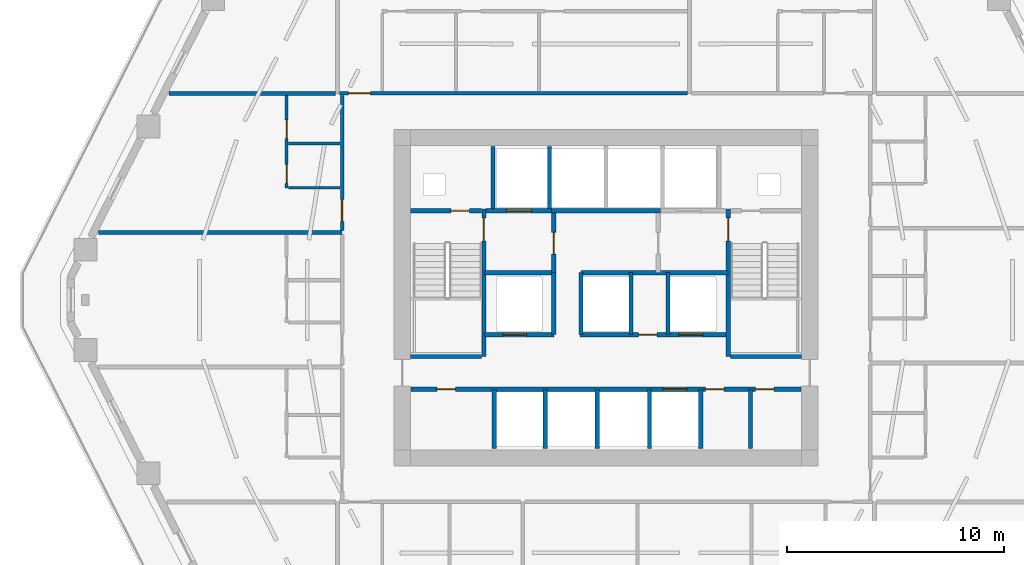
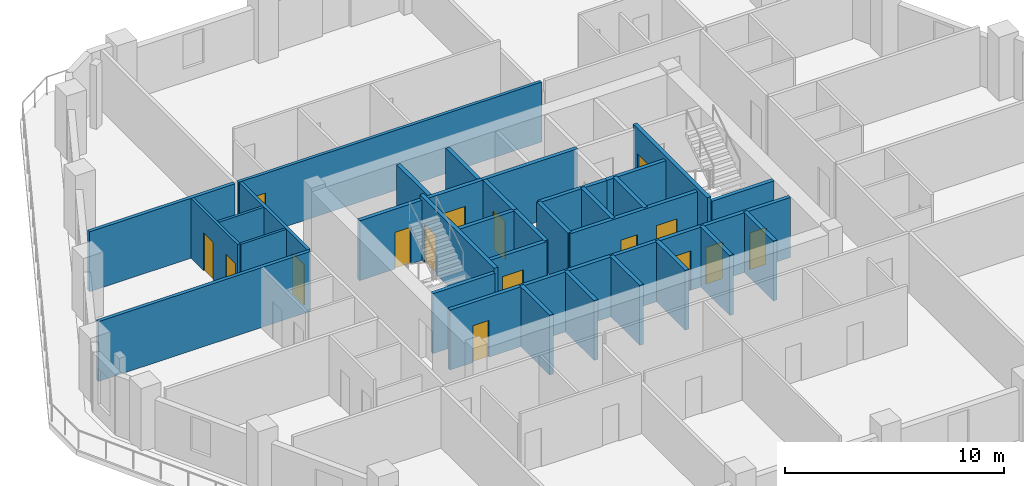
# One storey, part 4 of 10: 33 walls, 16 doors, 16 openings.
"""IFC4 building model written with IfcOpenShell, lengths in metres."""

from ifc_helpers import new_model, si_unit, direction, frame, frame_2d, origin, place, context, subcontext, project, spatial, rectangle, extrude, material, layer, layer_set, type_object, element, fill, save


model = new_model("IFC4")

# Units and contexts
model_context = context("Model", 3, precision=1e-05, world=origin(), true_north=direction((0.0, 1.0)))
body_context = subcontext(model_context, "Body", "Model", "MODEL_VIEW")
ifc_project = project(units=[si_unit("LENGTHUNIT", "METRE"), si_unit("AREAUNIT", "SQUARE_METRE"), si_unit("VOLUMEUNIT", "CUBIC_METRE"), si_unit("PLANEANGLEUNIT", "RADIAN"), si_unit("MASSUNIT", "GRAM", prefix="KILO")], contexts=[model_context])

# Site, building, storey
site_placement = place(None, origin())
site = spatial("IfcSite", under=ifc_project, at=site_placement, CompositionType="ELEMENT")
building_placement = place(site_placement, origin())
building = spatial("IfcBuilding", under=site, at=building_placement, Name="Cinnabar Lancet Tower", CompositionType="ELEMENT")
storey_placement = place(building_placement, frame((0.0, 0.0, 98.39990234375)))
storey = spatial("IfcBuildingStorey", under=building, at=storey_placement, Name="L25", CompositionType="ELEMENT", Elevation=98.39990234375)

# Wall, opening, door
ifc_material_1 = material(Name="Acoustic twin-stud gypsum partition", Category="gypsum")
ifc_layer_1 = layer(ifc_material_1, 0.159912109375)
ifc_layer_set_1 = layer_set([ifc_layer_1], Name="Acoustic twin-stud gypsum partition")
wall_type_1 = type_object("IfcWallType", Name="ARC-WL-CORR-160", PredefinedType="PARTITIONING", material=ifc_layer_set_1)
wall_1_placement = place(storey_placement, frame((20.14501953125, 35.300048828125, 0.0), z_axis=(0.0, 0.0, 1.0), x_axis=(1.0, 0.0, 0.0)))
wall_1 = element("IfcWall", 1, at=wall_1_placement, inside=storey, type_object=wall_type_1, Name="L25 Unit N01 Corridor Wall", PredefinedType="PARTITIONING", context=body_context, shape_type="SweptSolid", body=[
    extrude(rectangle(XDim=15.991943359375, YDim=0.159912109375, at=frame_2d((7.99609375, 0.0))), origin(), (0.0, 0.0, 1.0), 3.340087890625),
])
opening_1_placement = place(wall_1_placement, frame((0.405029296875, 0.0, 0.0)))
opening_1 = element("IfcOpeningElement", 2, at=opening_1_placement, cuts=wall_1, Name="Opening UD-01", PredefinedType="OPENING", context=body_context, shape_type="SweptSolid", body=[
    extrude(rectangle(XDim=1.02001953125, YDim=2.25, at=frame_2d((0.510009765625, 1.125))), frame((0.0, 0.08984375, 0.0), z_axis=(0.0, -1.0, 0.0), x_axis=(1.0, 0.0, 0.0)), (0.0, 0.0, 1.0), 0.179931640625),
])
ifc_material_2 = material(Name="Solid timber fire-rated apartment entrance door", Category="wood")
door_type_1 = type_object("IfcDoorType", Name="ARC-DR-UNIT", OperationType="NOTDEFINED", PredefinedType="DOOR", material=ifc_material_2)
door_1_placement = place(opening_1_placement, origin())
door_1 = element("IfcDoor", 3, at=door_1_placement, inside=storey, type_object=door_type_1, Name="DR-L25-N01-ENT", OperationType="SINGLE_SWING_LEFT", OverallHeight=2.25, OverallWidth=1.02001953125, PredefinedType="DOOR", context=body_context, shape_type="SweptSolid", body=[
    extrude(rectangle(XDim=1.02001953125, YDim=2.25, at=frame_2d((0.510009765625, 1.125))), frame((0.0, 0.02490234375, 0.0), z_axis=(0.0, -1.0, 0.0), x_axis=(1.0, 0.0, 0.0)), (0.0, 0.0, 1.0), 0.050048828125),
])
fill(opening_1, door_1)

wall_2_placement = place(storey_placement, frame((20.25, 29.0029296875, 0.0), z_axis=(0.0, 0.0, 1.0), x_axis=(0.0, 1.0, 0.0)))
wall_2 = element("IfcWall", 4, at=wall_2_placement, inside=storey, type_object=wall_type_1, Name="UW-L25-W03-COR", PredefinedType="PARTITIONING", context=body_context, shape_type="SweptSolid", body=[
    extrude(rectangle(XDim=6.2021484375, YDim=0.159912109375, at=frame_2d((3.10107421875, 0.0))), origin(), (0.0, 0.0, 1.0), 3.340087890625),
])
opening_2_placement = place(wall_2_placement, frame((0.39990234375, 0.0, 0.0)))
opening_2 = element("IfcOpeningElement", 5, at=opening_2_placement, cuts=wall_2, Name="Opening UD-01", PredefinedType="OPENING", context=body_context, shape_type="SweptSolid", body=[
    extrude(rectangle(XDim=1.02001953125, YDim=2.25, at=frame_2d((0.510009765625, 1.125))), frame((0.0, 0.08984375, 0.0), z_axis=(0.0, -1.0, 0.0), x_axis=(1.0, 0.0, 0.0)), (0.0, 0.0, 1.0), 0.179931640625),
])
door_2_placement = place(opening_2_placement, origin())
door_2 = element("IfcDoor", 6, at=door_2_placement, inside=storey, type_object=door_type_1, Name="DR-L25-W03-ENT", OperationType="SINGLE_SWING_RIGHT", OverallHeight=2.25, OverallWidth=1.02001953125, PredefinedType="DOOR", context=body_context, shape_type="SweptSolid", body=[
    extrude(rectangle(XDim=1.02001953125, YDim=2.25, at=frame_2d((0.510009765625, 1.125))), frame((0.0, 0.02490234375, 0.0), z_axis=(0.0, -1.0, 0.0), x_axis=(1.0, 0.0, 0.0)), (0.0, 0.0, 1.0), 0.050048828125),
])
fill(opening_2, door_2)

# Walls
ifc_material_3 = material(Name="Fire-rated twin-frame acoustic drywall", Category="gypsum")
ifc_layer_2 = layer(ifc_material_3, 0.179931640625)
ifc_layer_set_2 = layer_set([ifc_layer_2], Name="Fire-rated twin-frame acoustic drywall")
wall_type_2 = type_object("IfcWallType", Name="ARC-WL-PARTY-180", PredefinedType="PARTITIONING", material=ifc_layer_set_2)
wall_3_placement = place(storey_placement, frame((12.285888671875, 35.300048828125, 0.0), z_axis=(0.0, 0.0, 1.0), x_axis=(1.0, 0.0, 0.0)))
element("IfcWall", 7, at=wall_3_placement, inside=storey, type_object=wall_type_2, Name="PW-L25-WNB", PredefinedType="PARTITIONING", context=body_context, shape_type="SweptSolid", body=[
    extrude(rectangle(XDim=7.669189453125, YDim=0.179931640625, at=frame_2d((3.83447265625, 0.0))), origin(), (0.0, 0.0, 1.0), 3.340087890625),
])
wall_4_placement = place(storey_placement, frame((9.052001953125, 28.907958984375, 0.0), z_axis=(0.0, 0.0, 1.0), x_axis=(1.0, 0.0, 0.0)))
element("IfcWall", 8, at=wall_4_placement, inside=storey, type_object=wall_type_2, Name="PW-L25-WPTY-2", PredefinedType="PARTITIONING", context=body_context, shape_type="SweptSolid", body=[
    extrude(rectangle(XDim=11.197998046875, YDim=0.179931640625, at=frame_2d((5.59912109375, 0.0))), origin(), (0.0, 0.0, 1.0), 3.340087890625),
])
ifc_material_4 = material(Name="Autoclaved aerated concrete blockwork", Category="masonry")
ifc_layer_3 = layer(ifc_material_4, 0.199951171875)
ifc_layer_set_3 = layer_set([ifc_layer_3], Name="Autoclaved aerated concrete blockwork")
wall_type_3 = type_object("IfcWallType", Name="ARC-WL-SHAFT-200", PredefinedType="PLUMBINGWALL", material=ifc_layer_set_3)
for number, where, z_axis, x_axis, name in (
    (9, (23.405029296875, 23.199951171875, 0.0), (0.0, 0.0, 1.0), (1.0, 0.0, 0.0), "CW-ST1S-L25"),
    (10, (38.125, 23.199951171875, 0.0), (0.0, 0.0, 1.0), (1.0, 0.0, 0.0), "CW-ST2S-L25"),
):
    element("IfcWall", number, at=place(storey_placement, frame(where, z_axis=z_axis, x_axis=x_axis)), inside=storey, type_object=wall_type_3, Name=name, PredefinedType="PLUMBINGWALL", context=body_context, shape_type="SweptSolid", body=[
        extrude(rectangle(XDim=3.27001953125, YDim=0.199951171875, at=frame_2d((1.635009765625, 0.0))), origin(), (0.0, 0.0, 1.0), 3.340087890625),
    ])

# Wall, opening, door
wall_5_placement = place(storey_placement, frame((23.405029296875, 29.89990234375, 0.0), z_axis=(0.0, 0.0, 1.0), x_axis=(1.0, 0.0, 0.0)))
wall_5 = element("IfcWall", 11, at=wall_5_placement, inside=storey, type_object=wall_type_3, Name="CW-NSH-W-L25", PredefinedType="PLUMBINGWALL", context=body_context, shape_type="SweptSolid", body=[
    extrude(rectangle(XDim=3.27001953125, YDim=0.199951171875, at=frame_2d((1.635009765625, 0.0))), origin(), (0.0, 0.0, 1.0), 3.340087890625),
])
opening_3_placement = place(wall_5_placement, frame((1.85009765625, 0.0, 0.0)))
opening_3 = element("IfcOpeningElement", 12, at=opening_3_placement, cuts=wall_5, Name="Opening PD-02", PredefinedType="OPENING", context=body_context, shape_type="SweptSolid", body=[
    extrude(rectangle(XDim=0.85009765625, YDim=2.050048828125, at=frame_2d((0.425048828125, 1.02490234375))), frame((0.0, 0.10986328125, 0.0), z_axis=(0.0, -1.0, 0.0), x_axis=(1.0, 0.0, 0.0)), (0.0, 0.0, 1.0), 0.219970703125),
])
ifc_material_5 = material(Name="Fire-rated steel riser access door", Category="steel")
door_type_2 = type_object("IfcDoorType", Name="ARC-DR-RISER", OperationType="NOTDEFINED", PredefinedType="DOOR", material=ifc_material_5)
door_3_placement = place(opening_3_placement, origin())
door_3 = element("IfcDoor", 13, at=door_3_placement, inside=storey, type_object=door_type_2, Name="L25 West Riser Access Door", OperationType="SINGLE_SWING_LEFT", OverallHeight=2.050048828125, OverallWidth=0.85009765625, PredefinedType="DOOR", context=body_context, shape_type="SweptSolid", body=[
    extrude(rectangle(XDim=0.85009765625, YDim=2.050048828125, at=frame_2d((0.425048828125, 1.02490234375))), frame((0.0, 0.02490234375, 0.0), z_axis=(0.0, -1.0, 0.0), x_axis=(1.0, 0.0, 0.0)), (0.0, 0.0, 1.0), 0.050048828125),
])
fill(opening_3, door_3)

wall_6_placement = place(storey_placement, frame((26.885009765625, 29.89990234375, 0.0), z_axis=(0.0, 0.0, 1.0), x_axis=(1.0, 0.0, 0.0)))
wall_6 = element("IfcWall", 14, at=wall_6_placement, inside=storey, type_object=wall_type_3, Name="CW-FL1-L25", PredefinedType="PLUMBINGWALL", context=body_context, shape_type="SweptSolid", body=[
    extrude(rectangle(XDim=3.014892578125, YDim=0.199951171875, at=frame_2d((1.50732421875, 0.0))), origin(), (0.0, 0.0, 1.0), 3.340087890625),
])
opening_4_placement = place(wall_6_placement, frame((0.93994140625, 0.0, 0.0)))
opening_4 = element("IfcOpeningElement", 15, at=opening_4_placement, cuts=wall_6, Name="Opening LD-02", PredefinedType="OPENING", context=body_context, shape_type="SweptSolid", body=[
    extrude(rectangle(XDim=1.14990234375, YDim=2.199951171875, at=frame_2d((0.574951171875, 1.10009765625))), frame((0.0, 0.10986328125, 0.0), z_axis=(0.0, -1.0, 0.0), x_axis=(1.0, 0.0, 0.0)), (0.0, 0.0, 1.0), 0.219970703125),
])
ifc_material_6 = material(Name="Fire-rated stainless steel firefighting lift landing door", Category="steel")
door_type_3 = type_object("IfcDoorType", Name="ARC-DR-LD-FIRE", OperationType="NOTDEFINED", PredefinedType="DOOR", material=ifc_material_6)
door_4_placement = place(opening_4_placement, origin())
door_4 = element("IfcDoor", 16, at=door_4_placement, inside=storey, type_object=door_type_3, Name="L25 Firefighting Lift FL-1 Landing Door", OperationType="DOUBLE_DOOR_SLIDING", OverallHeight=2.199951171875, OverallWidth=1.14990234375, PredefinedType="DOOR", context=body_context, shape_type="SweptSolid", body=[
    extrude(rectangle(XDim=1.14990234375, YDim=2.199951171875, at=frame_2d((0.574951171875, 1.10009765625))), frame((0.0, 0.02490234375, 0.0), z_axis=(0.0, -1.0, 0.0), x_axis=(1.0, 0.0, 0.0)), (0.0, 0.0, 1.0), 0.050048828125),
])
fill(opening_4, door_4)

# Walls
wall_7_placement = place(storey_placement, frame((29.89990234375, 29.89990234375, 0.0), z_axis=(0.0, 0.0, 1.0), x_axis=(1.0, 0.0, 0.0)))
element("IfcWall", 17, at=wall_7_placement, inside=storey, type_object=wall_type_3, Name="CW-PL78-L25", PredefinedType="PLUMBINGWALL", context=body_context, shape_type="SweptSolid", body=[
    extrude(rectangle(XDim=5.0, YDim=0.199951171875, at=frame_2d((2.5, 0.0))), origin(), (0.0, 0.0, 1.0), 3.340087890625),
])
for number, where, z_axis, x_axis, name in (
    (18, (27.199951171875, 30.0, 0.0), (0.0, 0.0, 1.0), (0.0, 1.0, 0.0), "CW-NSH-D1-L25"),
    (19, (29.800048828125, 30.0, 0.0), (0.0, 0.0, 1.0), (0.0, 1.0, 0.0), "CW-NSH-D2-L25"),
):
    element("IfcWall", number, at=place(storey_placement, frame(where, z_axis=z_axis, x_axis=x_axis)), inside=storey, type_object=wall_type_3, Name=name, PredefinedType="PLUMBINGWALL", context=body_context, shape_type="SweptSolid", body=[
        extrude(rectangle(XDim=2.85009765625, YDim=0.199951171875, at=frame_2d((1.425048828125, 0.0))), origin(), (0.0, 0.0, 1.0), 3.340087890625),
    ])

# Wall, opening, door
wall_8_placement = place(storey_placement, frame((30.0, 27.050048828125, 0.0), z_axis=(0.0, 0.0, 1.0), x_axis=(0.0, 1.0, 0.0)))
wall_8 = element("IfcWall", 20, at=wall_8_placement, inside=storey, type_object=wall_type_3, Name="CW-FF1E-L25", PredefinedType="PLUMBINGWALL", context=body_context, shape_type="SweptSolid", body=[
    extrude(rectangle(XDim=2.75, YDim=0.199951171875, at=frame_2d((1.375, 0.0))), origin(), (0.0, 0.0, 1.0), 3.340087890625),
])
opening_5_placement = place(wall_8_placement, frame((0.85009765625, 0.0, 0.0)))
opening_5 = element("IfcOpeningElement", 21, at=opening_5_placement, cuts=wall_8, Name="Opening FD-01", PredefinedType="OPENING", context=body_context, shape_type="SweptSolid", body=[
    extrude(rectangle(XDim=1.0, YDim=2.14990234375, at=frame_2d((0.5, 1.074951171875))), frame((0.0, 0.10986328125, 0.0), z_axis=(0.0, -1.0, 0.0), x_axis=(1.0, 0.0, 0.0)), (0.0, 0.0, 1.0), 0.219970703125),
])
ifc_material_7 = material(Name="Fire-rated timber-core lobby door", Category="wood")
door_type_4 = type_object("IfcDoorType", Name="ARC-DR-FFAL", OperationType="NOTDEFINED", PredefinedType="DOOR", material=ifc_material_7)
door_5_placement = place(opening_5_placement, origin())
door_5 = element("IfcDoor", 22, at=door_5_placement, inside=storey, type_object=door_type_4, Name="L25 FFAL-1 Lobby Fire Door", OperationType="SINGLE_SWING_RIGHT", OverallHeight=2.14990234375, OverallWidth=1.0, PredefinedType="DOOR", context=body_context, shape_type="SweptSolid", body=[
    extrude(rectangle(XDim=1.0, YDim=2.14990234375, at=frame_2d((0.5, 1.074951171875))), frame((0.0, 0.02490234375, 0.0), z_axis=(0.0, -1.0, 0.0), x_axis=(1.0, 0.0, 0.0)), (0.0, 0.0, 1.0), 0.050048828125),
])
fill(opening_5, door_5)

# Walls
for number, where, z_axis, x_axis, name in (
    (23, (26.800048828125, 27.050048828125, 0.0), (0.0, 0.0, 1.0), (1.0, 0.0, 0.0), "CW-FF1S-L25"),
    (24, (34.800048828125, 27.050048828125, 0.0), (0.0, 0.0, 1.0), (1.0, 0.0, 0.0), "CW-FF2S-L25"),
):
    element("IfcWall", number, at=place(storey_placement, frame(where, z_axis=z_axis, x_axis=x_axis)), inside=storey, type_object=wall_type_3, Name=name, PredefinedType="PLUMBINGWALL", context=body_context, shape_type="SweptSolid", body=[
        extrude(rectangle(XDim=3.199951171875, YDim=0.199951171875, at=frame_2d((1.60009765625, 0.0))), origin(), (0.0, 0.0, 1.0), 3.340087890625),
    ])

# Wall, opening, door
wall_9_placement = place(storey_placement, frame((26.800048828125, 24.199951171875, 0.0), z_axis=(0.0, 0.0, 1.0), x_axis=(1.0, 0.0, 0.0)))
wall_9 = element("IfcWall", 25, at=wall_9_placement, inside=storey, type_object=wall_type_3, Name="CW-PL5S-L25", PredefinedType="PLUMBINGWALL", context=body_context, shape_type="SweptSolid", body=[
    extrude(rectangle(XDim=3.199951171875, YDim=0.199951171875, at=frame_2d((1.60009765625, 0.0))), origin(), (0.0, 0.0, 1.0), 3.340087890625),
])
opening_6_placement = place(wall_9_placement, frame((0.85009765625, 0.0, 0.0)))
opening_6 = element("IfcOpeningElement", 26, at=opening_6_placement, cuts=wall_9, Name="Opening LD-01", PredefinedType="OPENING", context=body_context, shape_type="SweptSolid", body=[
    extrude(rectangle(XDim=1.10009765625, YDim=2.199951171875, at=frame_2d((0.550048828125, 1.10009765625))), frame((0.0, 0.10986328125, 0.0), z_axis=(0.0, -1.0, 0.0), x_axis=(1.0, 0.0, 0.0)), (0.0, 0.0, 1.0), 0.219970703125),
])
ifc_material_8 = material(Name="Brushed stainless steel sliding lift door", Category="steel")
door_type_5 = type_object("IfcDoorType", Name="ARC-DR-LD-PASS", OperationType="NOTDEFINED", PredefinedType="DOOR", material=ifc_material_8)
door_6_placement = place(opening_6_placement, origin())
door_6 = element("IfcDoor", 27, at=door_6_placement, inside=storey, type_object=door_type_5, Name="L25 Lift PL-5 Landing Door", OperationType="DOUBLE_DOOR_SLIDING", OverallHeight=2.199951171875, OverallWidth=1.10009765625, PredefinedType="DOOR", context=body_context, shape_type="SweptSolid", body=[
    extrude(rectangle(XDim=1.10009765625, YDim=2.199951171875, at=frame_2d((0.550048828125, 1.10009765625))), frame((0.0, 0.02490234375, 0.0), z_axis=(0.0, -1.0, 0.0), x_axis=(1.0, 0.0, 0.0)), (0.0, 0.0, 1.0), 0.050048828125),
])
fill(opening_6, door_6)

# Wall
wall_10_placement = place(storey_placement, frame((30.0, 24.199951171875, 0.0), z_axis=(0.0, 0.0, 1.0), x_axis=(0.0, 1.0, 0.0)))
element("IfcWall", 28, at=wall_10_placement, inside=storey, type_object=wall_type_3, Name="CW-PL5E-L25", PredefinedType="PLUMBINGWALL", context=body_context, shape_type="SweptSolid", body=[
    extrude(rectangle(XDim=2.85009765625, YDim=0.199951171875, at=frame_2d((1.425048828125, 0.0))), origin(), (0.0, 0.0, 1.0), 3.340087890625),
])

# Wall, openings, doors
wall_11_placement = place(storey_placement, frame((31.199951171875, 24.199951171875, 0.0), z_axis=(0.0, 0.0, 1.0), x_axis=(1.0, 0.0, 0.0)))
wall_11 = element("IfcWall", 29, at=wall_11_placement, inside=storey, type_object=wall_type_3, Name="CW-PL96S-L25", PredefinedType="PLUMBINGWALL", context=body_context, shape_type="SweptSolid", body=[
    extrude(rectangle(XDim=6.800048828125, YDim=0.199951171875, at=frame_2d((3.39990234375, 0.0))), origin(), (0.0, 0.0, 1.0), 3.340087890625),
])
opening_7_placement = place(wall_11_placement, frame((2.699951171875, 0.0, 0.0)))
opening_7 = element("IfcOpeningElement", 30, at=opening_7_placement, cuts=wall_11, Name="Opening PD-02", PredefinedType="OPENING", context=body_context, shape_type="SweptSolid", body=[
    extrude(rectangle(XDim=0.85009765625, YDim=2.050048828125, at=frame_2d((0.425048828125, 1.02490234375))), frame((0.0, 0.10986328125, 0.0), z_axis=(0.0, -1.0, 0.0), x_axis=(1.0, 0.0, 0.0)), (0.0, 0.0, 1.0), 0.219970703125),
])
opening_8_placement = place(wall_11_placement, frame((4.550048828125, 0.0, 0.0)))
opening_8 = element("IfcOpeningElement", 31, at=opening_8_placement, cuts=wall_11, Name="Opening LD-01", PredefinedType="OPENING", context=body_context, shape_type="SweptSolid", body=[
    extrude(rectangle(XDim=1.10009765625, YDim=2.199951171875, at=frame_2d((0.550048828125, 1.10009765625))), frame((0.0, 0.10986328125, 0.0), z_axis=(0.0, -1.0, 0.0), x_axis=(1.0, 0.0, 0.0)), (0.0, 0.0, 1.0), 0.219970703125),
])
door_7_placement = place(opening_8_placement, origin())
door_7 = element("IfcDoor", 32, at=door_7_placement, inside=storey, type_object=door_type_5, Name="L25 Lift PL-6 Landing Door", OperationType="DOUBLE_DOOR_SLIDING", OverallHeight=2.199951171875, OverallWidth=1.10009765625, PredefinedType="DOOR", context=body_context, shape_type="SweptSolid", body=[
    extrude(rectangle(XDim=1.10009765625, YDim=2.199951171875, at=frame_2d((0.550048828125, 1.10009765625))), frame((0.0, 0.02490234375, 0.0), z_axis=(0.0, -1.0, 0.0), x_axis=(1.0, 0.0, 0.0)), (0.0, 0.0, 1.0), 0.050048828125),
])
fill(opening_8, door_7)
door_8_placement = place(opening_7_placement, origin())
door_8 = element("IfcDoor", 33, at=door_8_placement, inside=storey, type_object=door_type_2, Name="L25 BMS Closet Door", OperationType="SINGLE_SWING_LEFT", OverallHeight=2.050048828125, OverallWidth=0.85009765625, PredefinedType="DOOR", context=body_context, shape_type="SweptSolid", body=[
    extrude(rectangle(XDim=0.85009765625, YDim=2.050048828125, at=frame_2d((0.425048828125, 1.02490234375))), frame((0.0, 0.02490234375, 0.0), z_axis=(0.0, -1.0, 0.0), x_axis=(1.0, 0.0, 0.0)), (0.0, 0.0, 1.0), 0.050048828125),
])
fill(opening_7, door_8)

# Walls
for number, where, z_axis, x_axis, name in (
    (34, (31.25, 24.199951171875, 0.0), (0.0, 0.0, 1.0), (0.0, 1.0, 0.0), "CW-PL9W-L25"),
    (35, (33.550048828125, 24.199951171875, 0.0), (0.0, 0.0, 1.0), (0.0, 1.0, 0.0), "CW-PL9E-L25"),
    (36, (35.25, 24.199951171875, 0.0), (0.0, 0.0, 1.0), (0.0, 1.0, 0.0), "CW-PL6W-L25"),
):
    element("IfcWall", number, at=place(storey_placement, frame(where, z_axis=z_axis, x_axis=x_axis)), inside=storey, type_object=wall_type_3, Name=name, PredefinedType="PLUMBINGWALL", context=body_context, shape_type="SweptSolid", body=[
        extrude(rectangle(XDim=2.85009765625, YDim=0.199951171875, at=frame_2d((1.425048828125, 0.0))), origin(), (0.0, 0.0, 1.0), 3.340087890625),
    ])
wall_12_placement = place(storey_placement, frame((31.25, 27.050048828125, 0.0), z_axis=(0.0, 0.0, 1.0), x_axis=(1.0, 0.0, 0.0)))
element("IfcWall", 37, at=wall_12_placement, inside=storey, type_object=wall_type_3, Name="CW-PL96N-L25", PredefinedType="PLUMBINGWALL", context=body_context, shape_type="SweptSolid", body=[
    extrude(rectangle(XDim=3.550048828125, YDim=0.199951171875, at=frame_2d((1.77490234375, 0.0))), origin(), (0.0, 0.0, 1.0), 3.340087890625),
])

# Wall, openings, doors
wall_13_placement = place(storey_placement, frame((23.419921875, 21.679931640625, 0.0), z_axis=(0.0, 0.0, 1.0), x_axis=(1.0, 0.0, 0.0)))
wall_13 = element("IfcWall", 38, at=wall_13_placement, inside=storey, type_object=wall_type_3, Name="CW-SBANDN-L25", PredefinedType="PLUMBINGWALL", context=body_context, shape_type="SweptSolid", body=[
    extrude(rectangle(XDim=17.9599609375, YDim=0.199951171875, at=frame_2d((8.97998046875, 0.0))), origin(), (0.0, 0.0, 1.0), 3.340087890625),
])
opening_9_placement = place(wall_13_placement, frame((11.60009765625, 0.0, 0.0)))
opening_9 = element("IfcOpeningElement", 39, at=opening_9_placement, cuts=wall_13, Name="Opening LD-01", PredefinedType="OPENING", context=body_context, shape_type="SweptSolid", body=[
    extrude(rectangle(XDim=1.10009765625, YDim=2.199951171875, at=frame_2d((0.550048828125, 1.10009765625))), frame((0.0, 0.10986328125, 0.0), z_axis=(0.0, -1.0, 0.0), x_axis=(1.0, 0.0, 0.0)), (0.0, 0.0, 1.0), 0.219970703125),
])
opening_10_placement = place(wall_13_placement, frame((1.199951171875, 0.0, 0.0)))
opening_10 = element("IfcOpeningElement", 40, at=opening_10_placement, cuts=wall_13, Name="Opening PD-02", PredefinedType="OPENING", context=body_context, shape_type="SweptSolid", body=[
    extrude(rectangle(XDim=0.85009765625, YDim=2.050048828125, at=frame_2d((0.425048828125, 1.02490234375))), frame((0.0, 0.10986328125, 0.0), z_axis=(0.0, -1.0, 0.0), x_axis=(1.0, 0.0, 0.0)), (0.0, 0.0, 1.0), 0.219970703125),
])
opening_11_placement = place(wall_13_placement, frame((13.550048828125, 0.0, 0.0)))
opening_11 = element("IfcOpeningElement", 41, at=opening_11_placement, cuts=wall_13, Name="Opening PD-02", PredefinedType="OPENING", context=body_context, shape_type="SweptSolid", body=[
    extrude(rectangle(XDim=0.85009765625, YDim=2.050048828125, at=frame_2d((0.425048828125, 1.02490234375))), frame((0.0, 0.10986328125, 0.0), z_axis=(0.0, -1.0, 0.0), x_axis=(1.0, 0.0, 0.0)), (0.0, 0.0, 1.0), 0.219970703125),
])
opening_12_placement = place(wall_13_placement, frame((15.85009765625, 0.0, 0.0)))
opening_12 = element("IfcOpeningElement", 42, at=opening_12_placement, cuts=wall_13, Name="Opening PD-02", PredefinedType="OPENING", context=body_context, shape_type="SweptSolid", body=[
    extrude(rectangle(XDim=0.85009765625, YDim=2.050048828125, at=frame_2d((0.425048828125, 1.02490234375))), frame((0.0, 0.10986328125, 0.0), z_axis=(0.0, -1.0, 0.0), x_axis=(1.0, 0.0, 0.0)), (0.0, 0.0, 1.0), 0.219970703125),
])
door_9_placement = place(opening_9_placement, origin())
door_9 = element("IfcDoor", 43, at=door_9_placement, inside=storey, type_object=door_type_5, Name="L25 Lift PL-4 Landing Door", OperationType="DOUBLE_DOOR_SLIDING", OverallHeight=2.199951171875, OverallWidth=1.10009765625, PredefinedType="DOOR", context=body_context, shape_type="SweptSolid", body=[
    extrude(rectangle(XDim=1.10009765625, YDim=2.199951171875, at=frame_2d((0.550048828125, 1.10009765625))), frame((0.0, 0.02490234375, 0.0), z_axis=(0.0, -1.0, 0.0), x_axis=(1.0, 0.0, 0.0)), (0.0, 0.0, 1.0), 0.050048828125),
])
fill(opening_9, door_9)
door_10_placement = place(opening_10_placement, origin())
door_10 = element("IfcDoor", 44, at=door_10_placement, inside=storey, type_object=door_type_2, Name="DR-L25-SW1", OperationType="SINGLE_SWING_LEFT", OverallHeight=2.050048828125, OverallWidth=0.85009765625, PredefinedType="DOOR", context=body_context, shape_type="SweptSolid", body=[
    extrude(rectangle(XDim=0.85009765625, YDim=2.050048828125, at=frame_2d((0.425048828125, 1.02490234375))), frame((0.0, 0.02490234375, 0.0), z_axis=(0.0, -1.0, 0.0), x_axis=(1.0, 0.0, 0.0)), (0.0, 0.0, 1.0), 0.050048828125),
])
fill(opening_10, door_10)
door_11_placement = place(opening_11_placement, origin())
door_11 = element("IfcDoor", 45, at=door_11_placement, inside=storey, type_object=door_type_2, Name="DR-L25-SE1", OperationType="SINGLE_SWING_LEFT", OverallHeight=2.050048828125, OverallWidth=0.85009765625, PredefinedType="DOOR", context=body_context, shape_type="SweptSolid", body=[
    extrude(rectangle(XDim=0.85009765625, YDim=2.050048828125, at=frame_2d((0.425048828125, 1.02490234375))), frame((0.0, 0.02490234375, 0.0), z_axis=(0.0, -1.0, 0.0), x_axis=(1.0, 0.0, 0.0)), (0.0, 0.0, 1.0), 0.050048828125),
])
fill(opening_11, door_11)
door_12_placement = place(opening_12_placement, origin())
door_12 = element("IfcDoor", 46, at=door_12_placement, inside=storey, type_object=door_type_2, Name="DR-L25-SE2", OperationType="SINGLE_SWING_RIGHT", OverallHeight=2.050048828125, OverallWidth=0.85009765625, PredefinedType="DOOR", context=body_context, shape_type="SweptSolid", body=[
    extrude(rectangle(XDim=0.85009765625, YDim=2.050048828125, at=frame_2d((0.425048828125, 1.02490234375))), frame((0.0, 0.02490234375, 0.0), z_axis=(0.0, -1.0, 0.0), x_axis=(1.0, 0.0, 0.0)), (0.0, 0.0, 1.0), 0.050048828125),
])
fill(opening_12, door_12)

# Walls
for number, where, z_axis, x_axis, name in (
    (47, (27.25, 18.949951171875, 0.0), (0.0, 0.0, 1.0), (0.0, 1.0, 0.0), "CW-SB-2725-L25"),
    (48, (29.60009765625, 18.949951171875, 0.0), (0.0, 0.0, 1.0), (0.0, 1.0, 0.0), "CW-SB-2960-L25"),
    (49, (32.0, 18.949951171875, 0.0), (0.0, 0.0, 1.0), (0.0, 1.0, 0.0), "CW-SB-3200-L25"),
    (50, (34.39990234375, 18.949951171875, 0.0), (0.0, 0.0, 1.0), (0.0, 1.0, 0.0), "CW-SB-3440-L25"),
    (51, (36.75, 18.949951171875, 0.0), (0.0, 0.0, 1.0), (0.0, 1.0, 0.0), "CW-SB-3675-L25"),
    (52, (39.050048828125, 18.949951171875, 0.0), (0.0, 0.0, 1.0), (0.0, 1.0, 0.0), "CW-SB-SE-L25"),
):
    element("IfcWall", number, at=place(storey_placement, frame(where, z_axis=z_axis, x_axis=x_axis)), inside=storey, type_object=wall_type_3, Name=name, PredefinedType="PLUMBINGWALL", context=body_context, shape_type="SweptSolid", body=[
        extrude(rectangle(XDim=2.72998046875, YDim=0.199951171875, at=frame_2d((1.364990234375, 0.0))), origin(), (0.0, 0.0, 1.0), 3.340087890625),
    ])
ifc_material_9 = material(Name="Gypsum plasterboard stud partition", Category="gypsum")
ifc_layer_4 = layer(ifc_material_9, 0.125)
ifc_layer_set_4 = layer_set([ifc_layer_4], Name="Gypsum plasterboard stud partition")
wall_type_4 = type_object("IfcWallType", Name="ARC-WL-UNIT-125", PredefinedType="PARTITIONING", material=ifc_layer_set_4)
wall_14_placement = place(storey_placement, frame((17.784912109375, 30.9580078125, 0.0), z_axis=(0.0, 0.0, 1.0), x_axis=(1.0, 0.0, 0.0)))
element("IfcWall", 53, at=wall_14_placement, inside=storey, type_object=wall_type_4, Name="UW-L25-W03-FOYN", PredefinedType="PARTITIONING", context=body_context, shape_type="SweptSolid", body=[
    extrude(rectangle(XDim=2.380126953125, YDim=0.125, at=frame_2d((1.18994140625, 0.0))), origin(), (0.0, 0.0, 1.0), 3.340087890625),
])

# Wall, openings, doors
ifc_material_10 = material(Name="Moisture-resistant cement-board plumbing wall", Category="masonry")
ifc_layer_5 = layer(ifc_material_10, 0.139892578125)
ifc_layer_set_5 = layer_set([ifc_layer_5], Name="Moisture-resistant cement-board plumbing wall")
wall_type_5 = type_object("IfcWallType", Name="ARC-WL-WET-140", PredefinedType="PLUMBINGWALL", material=ifc_layer_set_5)
wall_15_placement = place(storey_placement, frame((17.699951171875, 30.9580078125, 0.0), z_axis=(0.0, 0.0, 1.0), x_axis=(0.0, 1.0, 0.0)))
wall_15 = element("IfcWall", 54, at=wall_15_placement, inside=storey, type_object=wall_type_5, Name="UW-L25-W03-SPL", PredefinedType="PLUMBINGWALL", context=body_context, shape_type="SweptSolid", body=[
    extrude(rectangle(XDim=4.2470703125, YDim=0.139892578125, at=frame_2d((2.12353515625, 0.0))), origin(), (0.0, 0.0, 1.0), 3.340087890625),
])
opening_13_placement = place(wall_15_placement, frame((2.259033203125, 0.0, 0.0)))
opening_13 = element("IfcOpeningElement", 55, at=opening_13_placement, cuts=wall_15, Name="Opening BD-01", PredefinedType="OPENING", context=body_context, shape_type="SweptSolid", body=[
    extrude(rectangle(XDim=0.860107421875, YDim=2.10009765625, at=frame_2d((0.43017578125, 1.050048828125))), frame((0.0, 0.079833984375, 0.0), z_axis=(0.0, -1.0, 0.0), x_axis=(1.0, 0.0, 0.0)), (0.0, 0.0, 1.0), 0.159912109375),
])
opening_14_placement = place(wall_15_placement, frame((0.199951171875, 0.0, 0.0)))
opening_14 = element("IfcOpeningElement", 56, at=opening_14_placement, cuts=wall_15, Name="Opening RD-02", PredefinedType="OPENING", context=body_context, shape_type="SweptSolid", body=[
    extrude(rectangle(XDim=0.8798828125, YDim=2.14990234375, at=frame_2d((0.43994140625, 1.074951171875))), frame((0.0, 0.079833984375, 0.0), z_axis=(0.0, -1.0, 0.0), x_axis=(1.0, 0.0, 0.0)), (0.0, 0.0, 1.0), 0.159912109375),
])
ifc_material_11 = material(Name="Moisture-resistant timber bathroom door", Category="wood")
door_type_6 = type_object("IfcDoorType", Name="ARC-DR-BATH", OperationType="NOTDEFINED", PredefinedType="DOOR", material=ifc_material_11)
door_13_placement = place(opening_13_placement, origin())
door_13 = element("IfcDoor", 57, at=door_13_placement, inside=storey, type_object=door_type_6, Name="DR-L25-W03-BTH", OperationType="SINGLE_SWING_RIGHT", OverallHeight=2.10009765625, OverallWidth=0.860107421875, PredefinedType="DOOR", context=body_context, shape_type="SweptSolid", body=[
    extrude(rectangle(XDim=0.860107421875, YDim=2.10009765625, at=frame_2d((0.43017578125, 1.050048828125))), frame((0.0, 0.02490234375, 0.0), z_axis=(0.0, -1.0, 0.0), x_axis=(1.0, 0.0, 0.0)), (0.0, 0.0, 1.0), 0.050048828125),
])
fill(opening_13, door_13)
ifc_material_12 = material(Name="Engineered timber study door", Category="wood")
door_type_7 = type_object("IfcDoorType", Name="ARC-DR-STUDY", OperationType="NOTDEFINED", PredefinedType="DOOR", material=ifc_material_12)
door_14_placement = place(opening_14_placement, origin())
door_14 = element("IfcDoor", 58, at=door_14_placement, inside=storey, type_object=door_type_7, Name="DR-L25-W03-KIT", OperationType="SINGLE_SWING_LEFT", OverallHeight=2.14990234375, OverallWidth=0.8798828125, PredefinedType="DOOR", context=body_context, shape_type="SweptSolid", body=[
    extrude(rectangle(XDim=0.8798828125, YDim=2.14990234375, at=frame_2d((0.43994140625, 1.074951171875))), frame((0.0, 0.02490234375, 0.0), z_axis=(0.0, -1.0, 0.0), x_axis=(1.0, 0.0, 0.0)), (0.0, 0.0, 1.0), 0.050048828125),
])
fill(opening_14, door_14)

# Wall
wall_16_placement = place(storey_placement, frame((17.784912109375, 32.9970703125, 0.0), z_axis=(0.0, 0.0, 1.0), x_axis=(1.0, 0.0, 0.0)))
element("IfcWall", 59, at=wall_16_placement, inside=storey, type_object=wall_type_5, Name="UW-L25-W03-KDV", PredefinedType="PLUMBINGWALL", context=body_context, shape_type="SweptSolid", body=[
    extrude(rectangle(XDim=2.380126953125, YDim=0.139892578125, at=frame_2d((1.18994140625, 0.0))), origin(), (0.0, 0.0, 1.0), 3.340087890625),
])

# Wall, opening, door
ifc_material_13 = material(Name="Concrete C50/60", Category="concrete")
ifc_layer_6 = layer(ifc_material_13, 0.199951171875)
ifc_layer_set_6 = layer_set([ifc_layer_6], Name="Concrete C50/60")
wall_type_6 = type_object("IfcWallType", Name="STR-WL-STAIR-200", PredefinedType="SHEAR", material=ifc_layer_set_6)
wall_17_placement = place(storey_placement, frame((26.780029296875, 23.199951171875, 0.0), z_axis=(0.0, 0.0, 1.0), x_axis=(0.0, 1.0, 0.0)))
wall_17 = element("IfcWall", 60, at=wall_17_placement, inside=storey, type_object=wall_type_6, Name="L25 Stair ST-1 Structural Enclosure Wall", PredefinedType="SHEAR", context=body_context, shape_type="SweptSolid", body=[
    extrude(rectangle(XDim=6.780029296875, YDim=0.199951171875, at=frame_2d((3.39013671875, 0.0))), origin(), (0.0, 0.0, 1.0), 3.550048828125),
])
opening_15_placement = place(wall_17_placement, frame((5.320068359375, 0.0, 0.0)))
opening_15 = element("IfcOpeningElement", 61, at=opening_15_placement, cuts=wall_17, Name="Opening SD-01", PredefinedType="OPENING", context=body_context, shape_type="SweptSolid", body=[
    extrude(rectangle(XDim=1.050048828125, YDim=2.14990234375, at=frame_2d((0.52490234375, 1.074951171875))), frame((0.0, 0.10986328125, 0.0), z_axis=(0.0, -1.0, 0.0), x_axis=(1.0, 0.0, 0.0)), (0.0, 0.0, 1.0), 0.219970703125),
])
ifc_material_14 = material(Name="Fire-rated steel stair exit door", Category="steel")
door_type_8 = type_object("IfcDoorType", Name="ARC-DR-STAIR", OperationType="NOTDEFINED", PredefinedType="DOOR", material=ifc_material_14)
door_15_placement = place(opening_15_placement, origin())
door_15 = element("IfcDoor", 62, at=door_15_placement, inside=storey, type_object=door_type_8, Name="L25 Stair ST-1 Fire Door", OperationType="SINGLE_SWING_LEFT", OverallHeight=2.14990234375, OverallWidth=1.050048828125, PredefinedType="DOOR", context=body_context, shape_type="SweptSolid", body=[
    extrude(rectangle(XDim=1.050048828125, YDim=2.14990234375, at=frame_2d((0.52490234375, 1.074951171875))), frame((0.0, 0.02490234375, 0.0), z_axis=(0.0, -1.0, 0.0), x_axis=(1.0, 0.0, 0.0)), (0.0, 0.0, 1.0), 0.050048828125),
])
fill(opening_15, door_15)

wall_18_placement = place(storey_placement, frame((38.02001953125, 23.199951171875, 0.0), z_axis=(0.0, 0.0, 1.0), x_axis=(0.0, 1.0, 0.0)))
wall_18 = element("IfcWall", 63, at=wall_18_placement, inside=storey, type_object=wall_type_6, Name="L25 Stair ST-2 Structural Enclosure Wall", PredefinedType="SHEAR", context=body_context, shape_type="SweptSolid", body=[
    extrude(rectangle(XDim=6.780029296875, YDim=0.199951171875, at=frame_2d((3.39013671875, 0.0))), origin(), (0.0, 0.0, 1.0), 3.550048828125),
])
opening_16_placement = place(wall_18_placement, frame((5.320068359375, 0.0, 0.0)))
opening_16 = element("IfcOpeningElement", 64, at=opening_16_placement, cuts=wall_18, Name="Opening SD-01", PredefinedType="OPENING", context=body_context, shape_type="SweptSolid", body=[
    extrude(rectangle(XDim=1.050048828125, YDim=2.14990234375, at=frame_2d((0.52490234375, 1.074951171875))), frame((0.0, 0.10986328125, 0.0), z_axis=(0.0, -1.0, 0.0), x_axis=(1.0, 0.0, 0.0)), (0.0, 0.0, 1.0), 0.219970703125),
])
door_16_placement = place(opening_16_placement, origin())
door_16 = element("IfcDoor", 65, at=door_16_placement, inside=storey, type_object=door_type_8, Name="L25 Stair ST-2 Fire Door", OperationType="SINGLE_SWING_RIGHT", OverallHeight=2.14990234375, OverallWidth=1.050048828125, PredefinedType="DOOR", context=body_context, shape_type="SweptSolid", body=[
    extrude(rectangle(XDim=1.050048828125, YDim=2.14990234375, at=frame_2d((0.52490234375, 1.074951171875))), frame((0.0, 0.02490234375, 0.0), z_axis=(0.0, -1.0, 0.0), x_axis=(1.0, 0.0, 0.0)), (0.0, 0.0, 1.0), 0.050048828125),
])
fill(opening_16, door_16)

save(model, "model.ifc")
